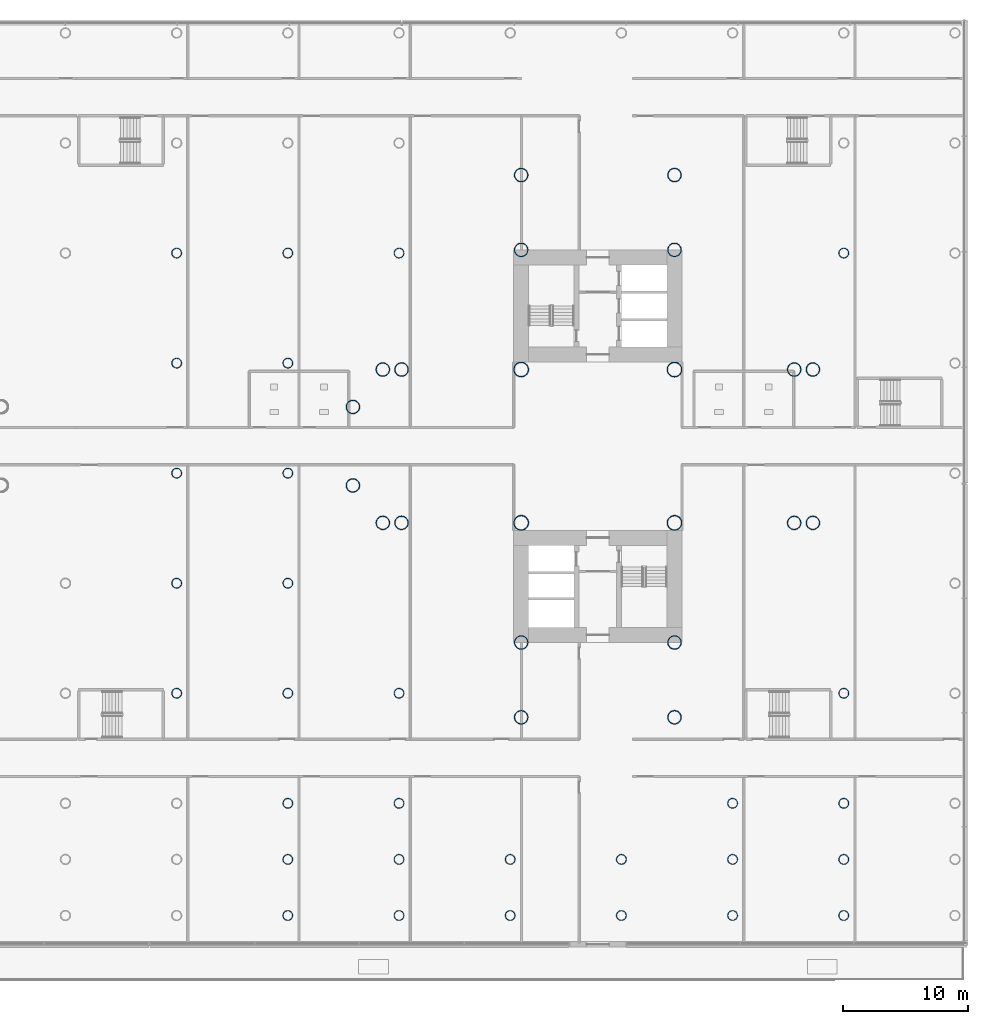
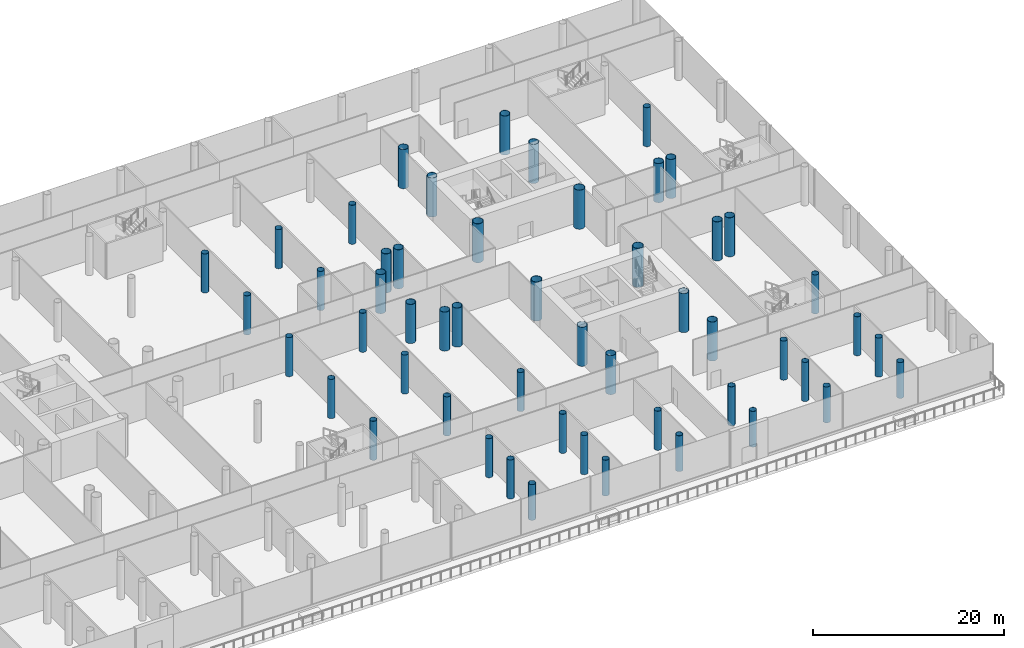
# One storey, part 2 of 59: 52 columns.
"""IFC4 building model written with IfcOpenShell, lengths in metres."""

import ifcopenshell
import ifcopenshell.guid

model = None  # the IFC model being written
_history = None  # IfcOwnerHistory: only IFC2X3 demands one
_inside = {}  # id of a spatial element -> (the spatial element, [elements in it])
_under = {}  # id of a project, library or spatial element -> (it, [spatial elements below it])
_declared = {}  # id of a project -> (the project, [libraries it declares])
_typed = {}  # id of a type object -> (the type object, [elements of that type])
_made_of = {}  # id of a material, layer set ... -> (it, [elements and type objects made of it])


def new_model(schema):
    """Start an empty IFC model of exactly this schema.

    Asked for "IFC4X3", IfcOpenShell would pick the latest addendum, in which some entities
    have other attributes; the version numbers below select the first issue.
    IFC2X3 requires an IfcOwnerHistory on every rooted entity: one is made here for all.
    """
    global model, _history
    if schema == "IFC4X3":
        model = ifcopenshell.file(schema_version=(4, 3, 0, 0))
    else:
        model = ifcopenshell.file(schema=schema)
    _inside.clear()
    _under.clear()
    _declared.clear()
    _typed.clear()
    _made_of.clear()
    _history = None
    if model.schema == "IFC2X3":
        org = make("IfcOrganization", Name="unknown")
        user = make(
            "IfcPersonAndOrganization",
            ThePerson=make("IfcPerson", FamilyName="unknown"),
            TheOrganization=org,
        )
        app = make(
            "IfcApplication",
            ApplicationDeveloper=org,
            Version="unknown",
            ApplicationFullName="unknown",
            ApplicationIdentifier="unknown",
        )
        _history = make(
            "IfcOwnerHistory",
            OwningUser=user,
            OwningApplication=app,
            ChangeAction="ADDED",
            CreationDate=0,
        )
    return model


def make(cls, **values):
    """One entity of the class cls with the attributes given. An attribute that is None is left unset."""
    return model.create_entity(
        cls, **{name: value for name, value in values.items() if value is not None}
    )


def rooted(cls, **values):
    """An entity with a GlobalId (a new one), such as an element, a storey or a relation."""
    return make(cls, GlobalId=ifcopenshell.guid.new(), OwnerHistory=_history, **values)


def si_unit(unit_type, name, prefix=None):
    """IfcSIUnit, for example si_unit("LENGTHUNIT", "METRE", prefix="MILLI")."""
    return make("IfcSIUnit", UnitType=unit_type, Prefix=prefix, Name=name)


def assignment(units):
    """IfcUnitAssignment: the units of a project."""
    return None if units is None else make("IfcUnitAssignment", Units=units)


def point(xyz):
    """IfcCartesianPoint."""
    return None if xyz is None else make("IfcCartesianPoint", Coordinates=xyz)


def direction(xyz):
    """IfcDirection."""
    return None if xyz is None else make("IfcDirection", DirectionRatios=xyz)


def frame(location, z_axis=None, x_axis=None):
    """IfcAxis2Placement3D, a coordinate frame: its origin and axes. An axis left out is left unset."""
    return make(
        "IfcAxis2Placement3D",
        Location=point(location),
        Axis=direction(z_axis),
        RefDirection=direction(x_axis),
    )


def frame_2d(location, x_axis=None):
    """IfcAxis2Placement2D, a coordinate frame in the plane: its origin and x axis."""
    return make(
        "IfcAxis2Placement2D", Location=point(location), RefDirection=direction(x_axis)
    )


def origin():
    """The frame at (0, 0, 0) with its axes left unset."""
    return frame((0.0, 0.0, 0.0))


def origin_2d():
    """The frame at (0, 0) in the plane with its x axis left unset."""
    return frame_2d((0.0, 0.0))


def place(relative_to, where):
    """IfcLocalPlacement: puts the frame where relative to a parent placement (None: the world)."""
    return make(
        "IfcLocalPlacement", PlacementRelTo=relative_to, RelativePlacement=where
    )


def context(
    kind, dimensions, precision=None, world=None, true_north=None, identifier=None
):
    """IfcGeometricRepresentationContext, for example the 3D "Model" context."""
    return make(
        "IfcGeometricRepresentationContext",
        ContextIdentifier=identifier,
        ContextType=kind,
        CoordinateSpaceDimension=dimensions,
        Precision=precision,
        WorldCoordinateSystem=world,
        TrueNorth=true_north,
    )


def subcontext(parent, identifier, kind, view, scale=None):
    """IfcGeometricRepresentationSubContext, for example "Body" below "Model"."""
    return make(
        "IfcGeometricRepresentationSubContext",
        ContextIdentifier=identifier,
        ContextType=kind,
        ParentContext=parent,
        TargetScale=scale,
        TargetView=view,
    )


def project(units=None, contexts=None):
    """IfcProject with its units and contexts."""
    return rooted(
        "IfcProject",
        Name="project",
        RepresentationContexts=contexts,
        UnitsInContext=assignment(units),
    )


def spatial(cls, under=None, at=None, **own):
    """A site, building, storey or space (cls), placed at a placement, below another one or the project."""
    s = rooted(cls, ObjectPlacement=at, **own)
    if under is not None:
        _under.setdefault(under.id(), (under, []))[1].append(s)
    return s


def profile(cls, at=None, kind="AREA", **sizes):
    """A parametric profile (cls). Its sizes go by their IFC names, for example OverallWidth=200.0."""
    return make(cls, ProfileType=kind, Position=at, **sizes)


def hollow_circle(**sizes):
    """IfcCircleHollowProfileDef."""
    return profile("IfcCircleHollowProfileDef", **sizes)


def extrude(swept, where, along, depth):
    """IfcExtrudedAreaSolid: the profile swept, set in the frame where, extruded along a direction by depth."""
    return make(
        "IfcExtrudedAreaSolid",
        SweptArea=swept,
        Position=where,
        ExtrudedDirection=direction(along),
        Depth=depth,
    )


def shape(context_of_items, identifier, shape_type, items):
    """IfcShapeRepresentation: the items that make up one representation, for example the "Body"."""
    return make(
        "IfcShapeRepresentation",
        ContextOfItems=context_of_items,
        RepresentationIdentifier=identifier,
        RepresentationType=shape_type,
        Items=items,
    )


def material(Name=None, Category=None):
    """IfcMaterial."""
    return make("IfcMaterial", Name=Name, Category=Category)


def material_profile(
    of_material, cross_section, Name=None, Category=None, Priority=None
):
    """IfcMaterialProfile: a cross section and its material."""
    return make(
        "IfcMaterialProfile",
        Name=Name,
        Material=of_material,
        Profile=cross_section,
        Priority=Priority,
        Category=Category,
    )


def profile_set(profiles, Name=None, composite=None):
    """IfcMaterialProfileSet."""
    return make(
        "IfcMaterialProfileSet",
        Name=Name,
        MaterialProfiles=profiles,
        CompositeProfile=composite,
    )


def made_of(thing, what):
    """Note that an element or type object is made of a material, layer set ...; save() writes the relation."""
    if what is not None:
        _made_of.setdefault(what.id(), (what, []))[1].append(thing)
    return thing


def type_object(cls, material=None, **own):
    """A type object (cls), such as IfcWallType, which elements share."""
    return made_of(rooted(cls, **own), material)


def element(
    cls,
    number,
    at=None,
    inside=None,
    cuts=None,
    type_object=None,
    material=None,
    context=None,
    identifier="Body",
    shape_type=None,
    held_by="IfcProductDefinitionShape",
    body=None,
    shapes=None,
    **own,
):
    """One element of the class cls, such as IfcWall. Its Tag is "e" and its number.

    at: its placement. inside: the storey or other place that contains it. cuts: it is an
    opening in that element (IfcRelVoidsElement). A single representation is given by context,
    identifier, shape_type and body (its items); several are given by shapes. held_by: the class
    of the entity that holds the representations. save() writes the other relations.
    """
    e = rooted(cls, Tag="e%d" % number, ObjectPlacement=at, **own)
    if body is not None:
        shapes = [shape(context, identifier, shape_type, body)]
    if shapes is not None:
        e.Representation = make(held_by, Representations=shapes)
    if inside is not None:
        _inside.setdefault(inside.id(), (inside, []))[1].append(e)
    if cuts is not None:
        rooted(
            "IfcRelVoidsElement", RelatingBuildingElement=cuts, RelatedOpeningElement=e
        )
    if type_object is not None:
        _typed.setdefault(type_object.id(), (type_object, []))[1].append(e)
    return made_of(e, material)


def aggregate(whole, parts):
    """IfcRelAggregates: a whole, such as a stair, and the parts it consists of."""
    return rooted("IfcRelAggregates", RelatingObject=whole, RelatedObjects=parts)


def save(model, path):
    """Write the relations noted so far, then the file.

    IfcRelAggregates (storeys below a building ...), IfcRelContainedInSpatialStructure (elements
    in a storey), IfcRelDefinesByType, IfcRelAssociatesMaterial and IfcRelDeclares: one each for
    every whole, place, type object, material and project.
    """
    for whole, parts in _under.values():
        aggregate(whole, parts)
    for where, things in _inside.values():
        rooted(
            "IfcRelContainedInSpatialStructure",
            RelatedElements=things,
            RelatingStructure=where,
        )
    for kind, things in _typed.values():
        rooted("IfcRelDefinesByType", RelatedObjects=things, RelatingType=kind)
    for what, things in _made_of.values():
        rooted("IfcRelAssociatesMaterial", RelatedObjects=things, RelatingMaterial=what)
    for by, libraries in _declared.values():
        rooted("IfcRelDeclares", RelatingContext=by, RelatedDefinitions=libraries)
    model.write(path)


model = new_model("IFC4")

# Units and contexts
model_context = context("Model", 3, precision=1e-05, world=origin(), true_north=direction((0.0, 1.0)))
body_context = subcontext(model_context, "Body", "Model", "MODEL_VIEW")
ifc_project = project(units=[si_unit("LENGTHUNIT", "METRE"), si_unit("AREAUNIT", "SQUARE_METRE"), si_unit("VOLUMEUNIT", "CUBIC_METRE"), si_unit("PLANEANGLEUNIT", "RADIAN"), si_unit("MASSUNIT", "GRAM", prefix="KILO")], contexts=[model_context])

# Site, building, storey
site_placement = place(None, origin())
site = spatial("IfcSite", under=ifc_project, at=site_placement, CompositionType="ELEMENT")
building_placement = place(site_placement, origin())
building = spatial("IfcBuilding", under=site, at=building_placement, Name="Ipe Terrace Towers", CompositionType="ELEMENT")
storey_placement = place(building_placement, frame((0.0, 0.0, 6.0)))
storey = spatial("IfcBuildingStorey", under=building, at=storey_placement, Name="L01", CompositionType="ELEMENT", Elevation=6.0)

# Columns
ifc_material_1 = material(Name="Steel S355 tube with Concrete C60/75 fill", Category="concrete")
ifc_material_profile_1 = material_profile(ifc_material_1, hollow_circle(Radius=0.550048828125, WallThickness=0.0400390625, at=origin_2d()), Name="CHS-1100x40")
ifc_profile_set_1 = profile_set([ifc_material_profile_1], Name="Steel S355 tube with Concrete C60/75 fill")
column_type_1 = type_object("IfcColumnType", Name="CH02 COLUMN CHS-1100x40", PredefinedType="COLUMN", material=ifc_profile_set_1)
for number, where, z_axis, x_axis, name in (
    (1, (42.14990234375, 15.75, 0.0), (0.0, 0.0, 1.0), (1.0, 0.0, 0.0), "Column T2-C-A01"),
    (2, (29.85009765625, 15.75, 0.0), (0.0, 0.0, 1.0), (1.0, 0.0, 0.0), "Column T2-C-A02"),
    (3, (42.14990234375, 21.75, 0.0), (0.0, 0.0, 1.0), (1.0, 0.0, 0.0), "Column T2-C-A03"),
    (4, (29.85009765625, 21.75, 0.0), (0.0, 0.0, 1.0), (1.0, 0.0, 0.0), "Column T2-C-A04"),
    (5, (20.25, 6.14990234375, 0.0), (0.0, 0.0, 1.0), (1.0, 0.0, 0.0), "Column T2-C-B03"),
    (6, (20.25, -6.14990234375, 0.0), (0.0, 0.0, 1.0), (1.0, 0.0, 0.0), "Column T2-C-B04"),
    (7, (18.75, 6.14990234375, 0.0), (0.0, 0.0, 1.0), (1.0, 0.0, 0.0), "Column T2-C-B05"),
    (8, (18.75, -6.14990234375, 0.0), (0.0, 0.0, 1.0), (1.0, 0.0, 0.0), "Column T2-C-B06"),
    (9, (16.35009765625, 3.14990234375, 0.0), (0.0, 0.0, 1.0), (1.0, 0.0, 0.0), "Column T2-C-B07"),
    (10, (16.35009765625, -3.14990234375, 0.0), (0.0, 0.0, 1.0), (1.0, 0.0, 0.0), "Column T2-C-B08"),
    (11, (42.14990234375, -15.75, 0.0), (0.0, 0.0, 1.0), (1.0, 0.0, 0.0), "Column T2-C-C01"),
    (12, (29.85009765625, -15.75, 0.0), (0.0, 0.0, 1.0), (1.0, 0.0, 0.0), "Column T2-C-C02"),
    (13, (42.14990234375, -21.75, 0.0), (0.0, 0.0, 1.0), (1.0, 0.0, 0.0), "Column T2-C-C03"),
    (14, (29.85009765625, -21.75, 0.0), (0.0, 0.0, 1.0), (1.0, 0.0, 0.0), "Column T2-C-C04"),
    (15, (51.75, -6.14990234375, 0.0), (0.0, 0.0, 1.0), (1.0, 0.0, 0.0), "Column T2-C-D03"),
    (16, (51.75, 6.14990234375, 0.0), (0.0, 0.0, 1.0), (1.0, 0.0, 0.0), "Column T2-C-D04"),
    (17, (53.25, -6.14990234375, 0.0), (0.0, 0.0, 1.0), (1.0, 0.0, 0.0), "Column T2-C-D05"),
    (18, (53.25, 6.14990234375, 0.0), (0.0, 0.0, 1.0), (1.0, 0.0, 0.0), "Column T2-C-D06"),
):
    element("IfcColumn", number, at=place(storey_placement, frame(where, z_axis=z_axis, x_axis=x_axis)), inside=storey, type_object=column_type_1, Name=name, PredefinedType="COLUMN", context=body_context, shape_type="SweptSolid", body=[
        extrude(hollow_circle(Radius=0.550048828125, WallThickness=0.0400390625, at=origin_2d()), origin(), (0.0, 0.0, 1.0), 5.0),
    ])
ifc_material_2 = material(Name="Steel S355 tube with Concrete C60/75 fill", Category="concrete")
ifc_material_profile_2 = material_profile(ifc_material_2, hollow_circle(Radius=0.60009765625, WallThickness=0.044921875, at=origin_2d()), Name="CHS-1200x45")
ifc_profile_set_2 = profile_set([ifc_material_profile_2], Name="Steel S355 tube with Concrete C60/75 fill")
column_type_2 = type_object("IfcColumnType", Name="CH03 COLUMN CHS-1200x45", PredefinedType="COLUMN", material=ifc_profile_set_2)
for number, where, z_axis, x_axis, name in (
    (19, (42.14990234375, -6.14990234375, 0.0), (0.0, 0.0, 1.0), (1.0, 0.0, 0.0), "Column T2-C-E01"),
    (20, (42.14990234375, 6.14990234375, 0.0), (0.0, 0.0, 1.0), (1.0, 0.0, 0.0), "Column T2-C-E02"),
    (21, (29.85009765625, 6.14990234375, 0.0), (0.0, 0.0, 1.0), (1.0, 0.0, 0.0), "Column T2-C-E03"),
    (22, (29.85009765625, -6.14990234375, 0.0), (0.0, 0.0, 1.0), (1.0, 0.0, 0.0), "Column T2-C-E04"),
):
    element("IfcColumn", number, at=place(storey_placement, frame(where, z_axis=z_axis, x_axis=x_axis)), inside=storey, type_object=column_type_2, Name=name, PredefinedType="COLUMN", context=body_context, shape_type="SweptSolid", body=[
        extrude(hollow_circle(Radius=0.60009765625, WallThickness=0.044921875, at=origin_2d()), origin(), (0.0, 0.0, 1.0), 5.0),
    ])
ifc_material_3 = material(Name="Steel S355 tube with Concrete C60/75 fill", Category="concrete")
ifc_material_profile_3 = material_profile(ifc_material_3, hollow_circle(Radius=0.39990234375, WallThickness=0.028076171875, at=origin_2d()), Name="CHS-800x28")
ifc_profile_set_3 = profile_set([ifc_material_profile_3], Name="Steel S355 tube with Concrete C60/75 fill")
column_type_3 = type_object("IfcColumnType", Name="CH09 PODIUM COLUMN CHS-800x28", PredefinedType="COLUMN", material=ifc_profile_set_3)
for number, where, z_axis, x_axis, name in (
    (23, (11.1298828125, -37.64990234375, 0.0), (0.0, 0.0, 1.0), (1.0, 0.0, 0.0), "Column PD-C-B10"),
    (24, (20.050048828125, -37.64990234375, 0.0), (0.0, 0.0, 1.0), (1.0, 0.0, 0.0), "Column PD-C-B11"),
    (25, (28.969970703125, -37.64990234375, 0.0), (0.0, 0.0, 1.0), (1.0, 0.0, 0.0), "Column PD-C-B12"),
    (26, (37.889892578125, -37.64990234375, 0.0), (0.0, 0.0, 1.0), (1.0, 0.0, 0.0), "Column PD-C-B13"),
    (27, (46.81005859375, -37.64990234375, 0.0), (0.0, 0.0, 1.0), (1.0, 0.0, 0.0), "Column PD-C-B14"),
    (28, (55.72998046875, -37.64990234375, 0.0), (0.0, 0.0, 1.0), (1.0, 0.0, 0.0), "Column PD-C-B15"),
):
    element("IfcColumn", number, at=place(storey_placement, frame(where, z_axis=z_axis, x_axis=x_axis)), inside=storey, type_object=column_type_3, Name=name, PredefinedType="COLUMN", context=body_context, shape_type="SweptSolid", body=[
        extrude(hollow_circle(Radius=0.39990234375, WallThickness=0.028076171875, at=origin_2d()), origin(), (0.0, 0.0, 1.0), 4.580078125),
    ])
for number, where, z_axis, x_axis, name in (
    (29, (11.1298828125, -33.14990234375, 0.0), (0.0, 0.0, 1.0), (1.0, 0.0, 0.0), "Column PD-C-C10"),
    (30, (20.050048828125, -33.14990234375, 0.0), (0.0, 0.0, 1.0), (1.0, 0.0, 0.0), "Column PD-C-C11"),
    (31, (28.969970703125, -33.14990234375, 0.0), (0.0, 0.0, 1.0), (1.0, 0.0, 0.0), "Column PD-C-C12"),
    (32, (37.889892578125, -33.14990234375, 0.0), (0.0, 0.0, 1.0), (1.0, 0.0, 0.0), "Column PD-C-C13"),
    (33, (46.81005859375, -33.14990234375, 0.0), (0.0, 0.0, 1.0), (1.0, 0.0, 0.0), "Column PD-C-C14"),
    (34, (55.72998046875, -33.14990234375, 0.0), (0.0, 0.0, 1.0), (1.0, 0.0, 0.0), "Column PD-C-C15"),
    (35, (11.1298828125, -28.64990234375, 0.0), (0.0, 0.0, 1.0), (1.0, 0.0, 0.0), "Column PD-C-D10"),
    (36, (20.050048828125, -28.64990234375, 0.0), (0.0, 0.0, 1.0), (1.0, 0.0, 0.0), "Column PD-C-D11"),
    (37, (46.81005859375, -28.64990234375, 0.0), (0.0, 0.0, 1.0), (1.0, 0.0, 0.0), "Column PD-C-D14"),
    (38, (55.72998046875, -28.64990234375, 0.0), (0.0, 0.0, 1.0), (1.0, 0.0, 0.0), "Column PD-C-D15"),
    (39, (2.2099609375, -19.821044921875, 0.0), (0.0, 0.0, 1.0), (1.0, 0.0, 0.0), "Column PD-C-E09"),
    (40, (11.1298828125, -19.821044921875, 0.0), (0.0, 0.0, 1.0), (1.0, 0.0, 0.0), "Column PD-C-E10"),
    (41, (20.050048828125, -19.821044921875, 0.0), (0.0, 0.0, 1.0), (1.0, 0.0, 0.0), "Column PD-C-E11"),
    (42, (55.72998046875, -19.821044921875, 0.0), (0.0, 0.0, 1.0), (1.0, 0.0, 0.0), "Column PD-C-E15"),
    (43, (2.2099609375, -10.992919921875, 0.0), (0.0, 0.0, 1.0), (1.0, 0.0, 0.0), "Column PD-C-F09"),
    (44, (11.1298828125, -10.992919921875, 0.0), (0.0, 0.0, 1.0), (1.0, 0.0, 0.0), "Column PD-C-F10"),
    (45, (2.2099609375, -2.1640625, 0.0), (0.0, 0.0, 1.0), (1.0, 0.0, 0.0), "Column PD-C-G09"),
    (46, (11.1298828125, -2.1640625, 0.0), (0.0, 0.0, 1.0), (1.0, 0.0, 0.0), "Column PD-C-G10"),
    (47, (2.2099609375, 6.6640625, 0.0), (0.0, 0.0, 1.0), (1.0, 0.0, 0.0), "Column PD-C-H09"),
    (48, (11.1298828125, 6.6640625, 0.0), (0.0, 0.0, 1.0), (1.0, 0.0, 0.0), "Column PD-C-H10"),
    (49, (2.2099609375, 15.492919921875, 0.0), (0.0, 0.0, 1.0), (1.0, 0.0, 0.0), "Column PD-C-I09"),
    (50, (11.1298828125, 15.492919921875, 0.0), (0.0, 0.0, 1.0), (1.0, 0.0, 0.0), "Column PD-C-I10"),
    (51, (20.050048828125, 15.492919921875, 0.0), (0.0, 0.0, 1.0), (1.0, 0.0, 0.0), "Column PD-C-I11"),
    (52, (55.72998046875, 15.492919921875, 0.0), (0.0, 0.0, 1.0), (1.0, 0.0, 0.0), "Column PD-C-I15"),
):
    element("IfcColumn", number, at=place(storey_placement, frame(where, z_axis=z_axis, x_axis=x_axis)), inside=storey, type_object=column_type_3, Name=name, PredefinedType="COLUMN", context=body_context, shape_type="SweptSolid", body=[
        extrude(hollow_circle(Radius=0.39990234375, WallThickness=0.028076171875, at=origin_2d()), origin(), (0.0, 0.0, 1.0), 5.0),
    ])

save(model, "model.ifc")
